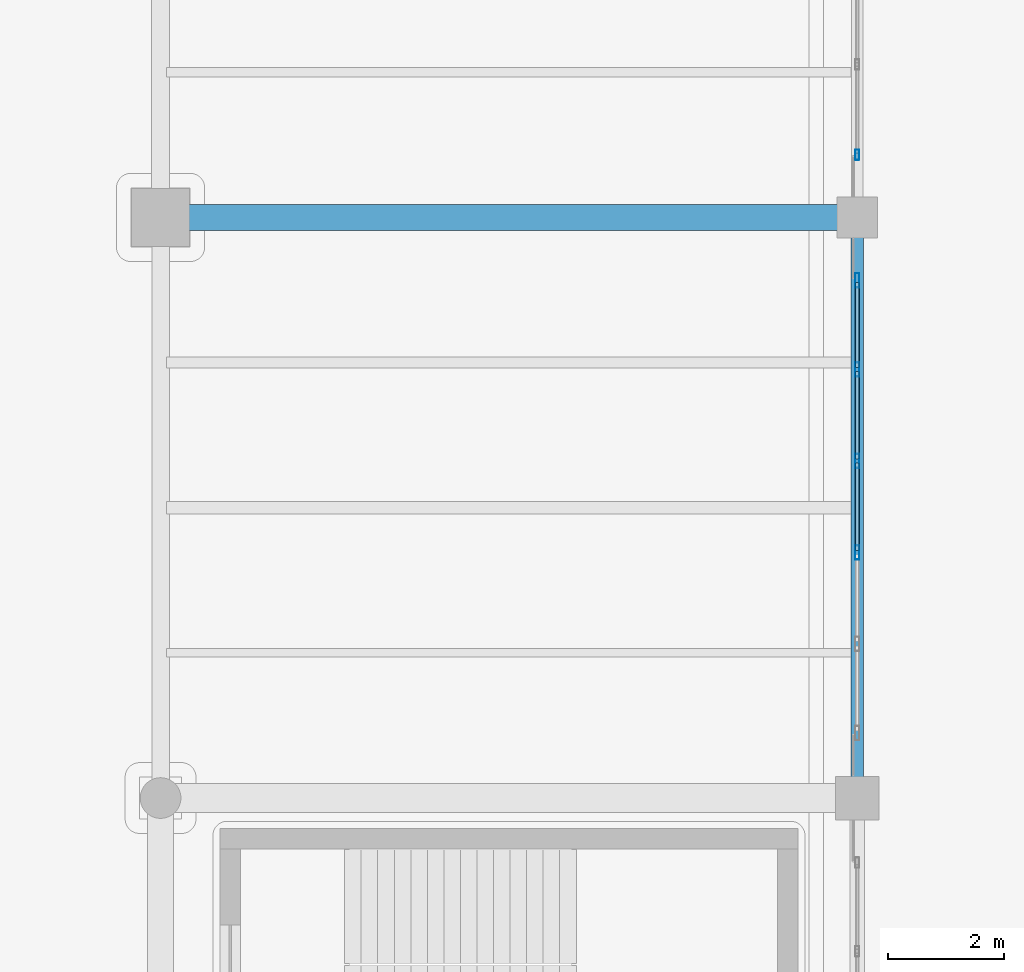
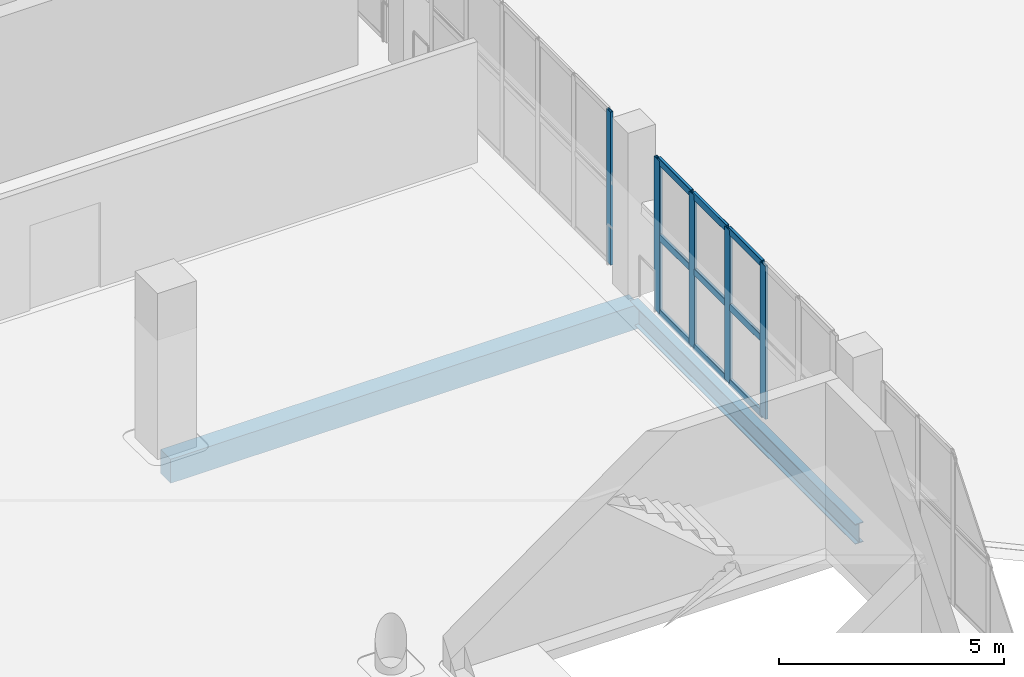
# One storey, part 55 of 108: 14 members, 2 beams, 2 elements without a shape of their own.
"""IFC4 building model written with IfcOpenShell, lengths in metres."""

from ifc_helpers import new_model, si_unit, direction, frame, origin, origin_2d, place, context, subcontext, project, spatial, rectangle, hollow_rectangle, i_section, extrude, material, layer, layer_set, material_profile, profile_set, type_object, element, aggregate, save


model = new_model("IFC4")

# Units and contexts
model_context = context("Model", 3, precision=1e-05, world=origin(), true_north=direction((0.0, 1.0)))
body_context = subcontext(model_context, "Body", "Model", "MODEL_VIEW")
ifc_project = project(units=[si_unit("LENGTHUNIT", "METRE"), si_unit("AREAUNIT", "SQUARE_METRE"), si_unit("VOLUMEUNIT", "CUBIC_METRE"), si_unit("PLANEANGLEUNIT", "RADIAN"), si_unit("MASSUNIT", "GRAM", prefix="KILO")], contexts=[model_context])

# Site, building, storey
site_placement = place(None, origin())
site = spatial("IfcSite", under=ifc_project, at=site_placement, CompositionType="ELEMENT")
building_placement = place(site_placement, origin())
building = spatial("IfcBuilding", under=site, at=building_placement, Name="Brinegate Civic Arena", CompositionType="ELEMENT")
storey_placement = place(building_placement, frame((0.0, 0.0, 10.199951171875)))
storey = spatial("IfcBuildingStorey", under=building, at=storey_placement, Name="L02", CompositionType="ELEMENT", Elevation=10.199951171875)

# Curtain wall, member
ifc_material_1 = material(Name="Marine grade aluminium", Category="aluminium")
ifc_layer = layer(ifc_material_1, 0.199951171875, Name="Marine grade aluminium")
ifc_layer_set = layer_set([ifc_layer], Name="Marine grade aluminium")
curtain_wall_type = type_object("IfcCurtainWallType", Name="CW-BOWL-GLAZED-01", PredefinedType="USERDEFINED", material=ifc_layer_set)
curtain_wall_1_placement = place(storey_placement, origin())
curtain_wall_1 = element("IfcCurtainWall", 1, at=curtain_wall_1_placement, inside=storey, type_object=curtain_wall_type, Name="Curtain Wall CWA-084", ObjectType="GLAZED CURTAIN WALL", PredefinedType="USERDEFINED")
ifc_material_profile_1 = material_profile(ifc_material_1, hollow_rectangle(XDim=0.06494140625, YDim=0.179931640625, WallThickness=0.0048828125, InnerFilletRadius=0.00390625, OuterFilletRadius=0.008056640625, at=origin_2d()), Name="MUL65X180")
ifc_profile_set_1 = profile_set([ifc_material_profile_1], Name="Marine grade aluminium")
member_type_1 = type_object("IfcMemberType", Name="CW-MULLION-65X180", PredefinedType="MULLION", material=ifc_profile_set_1)
member_1_placement = place(storey_placement, frame((168.0, 63.077392578125, 0.0), z_axis=(0.0, 0.0, 1.0), x_axis=(-1.0, 0.0, 0.0)))
member_1 = element("IfcMember", 2, at=member_1_placement, type_object=member_type_1, Name="CWA-084 mullion 1", PredefinedType="MULLION", context=body_context, shape_type="SweptSolid", body=[
    extrude(hollow_rectangle(XDim=0.06494140625, YDim=0.179931640625, WallThickness=0.0048828125, InnerFilletRadius=0.00390625, OuterFilletRadius=0.008056640625, at=origin_2d()), origin(), (0.0, 0.0, 1.0), 4.150146484375),
])
aggregate(curtain_wall_1, [member_1])

# Curtain wall, members
curtain_wall_2_placement = place(storey_placement, origin())
curtain_wall_2 = element("IfcCurtainWall", 3, at=curtain_wall_2_placement, inside=storey, type_object=curtain_wall_type, Name="Curtain Wall CWA-082", ObjectType="GLAZED CURTAIN WALL", PredefinedType="USERDEFINED")
ifc_material_profile_2 = material_profile(ifc_material_1, hollow_rectangle(XDim=0.074951171875, YDim=0.25, WallThickness=0.006103515625, InnerFilletRadius=0.00390625, OuterFilletRadius=0.008056640625, at=origin_2d()), Name="MUL75X250")
ifc_profile_set_2 = profile_set([ifc_material_profile_2], Name="Marine grade aluminium")
member_type_2 = type_object("IfcMemberType", Name="CW-MULLION-75X250", PredefinedType="MULLION", material=ifc_profile_set_2)
member_2_placement = place(storey_placement, frame((168.0, 56.22998046875, 0.0), z_axis=(0.0, 0.0, 1.0), x_axis=(-1.0, 0.0, 0.0)))
member_2 = element("IfcMember", 4, at=member_2_placement, type_object=member_type_2, Name="CWA-082 mullion 3", PredefinedType="MULLION", context=body_context, shape_type="SweptSolid", body=[
    extrude(hollow_rectangle(XDim=0.074951171875, YDim=0.25, WallThickness=0.006103515625, InnerFilletRadius=0.00390625, OuterFilletRadius=0.008056640625, at=origin_2d()), origin(), (0.0, 0.0, 1.0), 4.150146484375),
])
member_3_placement = place(storey_placement, frame((168.0, 57.804931640625, 0.0), z_axis=(0.0, 0.0, 1.0), x_axis=(-1.0, 0.0, 0.0)))
member_3 = element("IfcMember", 5, at=member_3_placement, type_object=member_type_2, Name="CWA-082 mullion 4", PredefinedType="MULLION", context=body_context, shape_type="SweptSolid", body=[
    extrude(hollow_rectangle(XDim=0.074951171875, YDim=0.25, WallThickness=0.006103515625, InnerFilletRadius=0.00390625, OuterFilletRadius=0.008056640625, at=origin_2d()), origin(), (0.0, 0.0, 1.0), 4.150146484375),
])
member_4_placement = place(storey_placement, frame((168.0, 59.3798828125, 0.0), z_axis=(0.0, 0.0, 1.0), x_axis=(-1.0, 0.0, 0.0)))
member_4 = element("IfcMember", 6, at=member_4_placement, type_object=member_type_2, Name="CWA-082 mullion 5", PredefinedType="MULLION", context=body_context, shape_type="SweptSolid", body=[
    extrude(hollow_rectangle(XDim=0.074951171875, YDim=0.25, WallThickness=0.006103515625, InnerFilletRadius=0.00390625, OuterFilletRadius=0.008056640625, at=origin_2d()), origin(), (0.0, 0.0, 1.0), 4.150146484375),
])
member_5_placement = place(storey_placement, frame((168.0, 60.91748046875, 0.0), z_axis=(0.0, 0.0, 1.0), x_axis=(-1.0, 0.0, 0.0)))
member_5 = element("IfcMember", 7, at=member_5_placement, type_object=member_type_2, Name="CWA-082 mullion 6", PredefinedType="MULLION", context=body_context, shape_type="SweptSolid", body=[
    extrude(hollow_rectangle(XDim=0.074951171875, YDim=0.25, WallThickness=0.006103515625, InnerFilletRadius=0.00390625, OuterFilletRadius=0.008056640625, at=origin_2d()), origin(), (0.0, 0.0, 1.0), 4.150146484375),
])
ifc_material_profile_3 = material_profile(ifc_material_1, hollow_rectangle(XDim=0.074951171875, YDim=0.18994140625, WallThickness=0.006103515625, InnerFilletRadius=0.00390625, OuterFilletRadius=0.008056640625, at=origin_2d()), Name="TRN75X190")
ifc_profile_set_3 = profile_set([ifc_material_profile_3], Name="Marine grade aluminium")
member_type_3 = type_object("IfcMemberType", Name="CW-TRANSOM-75X190", PredefinedType="USERDEFINED", material=ifc_profile_set_3)
member_6_placement = place(storey_placement, frame((168.0, 56.267578125, 0.03759765625), z_axis=(0.0, 1.0, 0.0), x_axis=(-1.0, 0.0, 0.0)))
member_6 = element("IfcMember", 8, at=member_6_placement, type_object=member_type_3, Name="CWA-082 transom 3.1", ObjectType="TRANSOM", PredefinedType="USERDEFINED", context=body_context, shape_type="SweptSolid", body=[
    extrude(hollow_rectangle(XDim=0.074951171875, YDim=0.18994140625, WallThickness=0.006103515625, InnerFilletRadius=0.00390625, OuterFilletRadius=0.008056640625, at=origin_2d()), origin(), (0.0, 0.0, 1.0), 1.5),
])
member_7_placement = place(storey_placement, frame((168.0, 56.267578125, 2.074951171875), z_axis=(0.0, 1.0, 0.0), x_axis=(-1.0, 0.0, 0.0)))
member_7 = element("IfcMember", 9, at=member_7_placement, type_object=member_type_3, Name="CWA-082 transom 3.2", ObjectType="TRANSOM", PredefinedType="USERDEFINED", context=body_context, shape_type="SweptSolid", body=[
    extrude(hollow_rectangle(XDim=0.074951171875, YDim=0.18994140625, WallThickness=0.006103515625, InnerFilletRadius=0.00390625, OuterFilletRadius=0.008056640625, at=origin_2d()), origin(), (0.0, 0.0, 1.0), 1.5),
])
member_8_placement = place(storey_placement, frame((168.0, 56.267578125, 4.112548828125), z_axis=(0.0, 1.0, 0.0), x_axis=(-1.0, 0.0, 0.0)))
member_8 = element("IfcMember", 10, at=member_8_placement, type_object=member_type_3, Name="CWA-082 transom 3.3", ObjectType="TRANSOM", PredefinedType="USERDEFINED", context=body_context, shape_type="SweptSolid", body=[
    extrude(hollow_rectangle(XDim=0.074951171875, YDim=0.18994140625, WallThickness=0.006103515625, InnerFilletRadius=0.00390625, OuterFilletRadius=0.008056640625, at=origin_2d()), origin(), (0.0, 0.0, 1.0), 1.5),
])
member_9_placement = place(storey_placement, frame((168.0, 57.842529296875, 0.03759765625), z_axis=(0.0, 1.0, 0.0), x_axis=(-1.0, 0.0, 0.0)))
member_9 = element("IfcMember", 11, at=member_9_placement, type_object=member_type_3, Name="CWA-082 transom 4.1", ObjectType="TRANSOM", PredefinedType="USERDEFINED", context=body_context, shape_type="SweptSolid", body=[
    extrude(hollow_rectangle(XDim=0.074951171875, YDim=0.18994140625, WallThickness=0.006103515625, InnerFilletRadius=0.00390625, OuterFilletRadius=0.008056640625, at=origin_2d()), origin(), (0.0, 0.0, 1.0), 1.5),
])
member_10_placement = place(storey_placement, frame((168.0, 57.842529296875, 2.074951171875), z_axis=(0.0, 1.0, 0.0), x_axis=(-1.0, 0.0, 0.0)))
member_10 = element("IfcMember", 12, at=member_10_placement, type_object=member_type_3, Name="CWA-082 transom 4.2", ObjectType="TRANSOM", PredefinedType="USERDEFINED", context=body_context, shape_type="SweptSolid", body=[
    extrude(hollow_rectangle(XDim=0.074951171875, YDim=0.18994140625, WallThickness=0.006103515625, InnerFilletRadius=0.00390625, OuterFilletRadius=0.008056640625, at=origin_2d()), origin(), (0.0, 0.0, 1.0), 1.5),
])
member_11_placement = place(storey_placement, frame((168.0, 57.842529296875, 4.112548828125), z_axis=(0.0, 1.0, 0.0), x_axis=(-1.0, 0.0, 0.0)))
member_11 = element("IfcMember", 13, at=member_11_placement, type_object=member_type_3, Name="CWA-082 transom 4.3", ObjectType="TRANSOM", PredefinedType="USERDEFINED", context=body_context, shape_type="SweptSolid", body=[
    extrude(hollow_rectangle(XDim=0.074951171875, YDim=0.18994140625, WallThickness=0.006103515625, InnerFilletRadius=0.00390625, OuterFilletRadius=0.008056640625, at=origin_2d()), origin(), (0.0, 0.0, 1.0), 1.5),
])
member_12_placement = place(storey_placement, frame((168.0, 59.41748046875, 0.03759765625), z_axis=(0.0, 1.0, 0.0), x_axis=(-1.0, 0.0, 0.0)))
member_12 = element("IfcMember", 14, at=member_12_placement, type_object=member_type_3, Name="CWA-082 transom 5.1", ObjectType="TRANSOM", PredefinedType="USERDEFINED", context=body_context, shape_type="SweptSolid", body=[
    extrude(hollow_rectangle(XDim=0.074951171875, YDim=0.18994140625, WallThickness=0.006103515625, InnerFilletRadius=0.00390625, OuterFilletRadius=0.008056640625, at=origin_2d()), origin(), (0.0, 0.0, 1.0), 1.46240234375),
])
member_13_placement = place(storey_placement, frame((168.0, 59.41748046875, 2.074951171875), z_axis=(0.0, 1.0, 0.0), x_axis=(-1.0, 0.0, 0.0)))
member_13 = element("IfcMember", 15, at=member_13_placement, type_object=member_type_3, Name="CWA-082 transom 5.2", ObjectType="TRANSOM", PredefinedType="USERDEFINED", context=body_context, shape_type="SweptSolid", body=[
    extrude(hollow_rectangle(XDim=0.074951171875, YDim=0.18994140625, WallThickness=0.006103515625, InnerFilletRadius=0.00390625, OuterFilletRadius=0.008056640625, at=origin_2d()), origin(), (0.0, 0.0, 1.0), 1.46240234375),
])
member_14_placement = place(storey_placement, frame((168.0, 59.41748046875, 4.112548828125), z_axis=(0.0, 1.0, 0.0), x_axis=(-1.0, 0.0, 0.0)))
member_14 = element("IfcMember", 16, at=member_14_placement, type_object=member_type_3, Name="CWA-082 transom 5.3", ObjectType="TRANSOM", PredefinedType="USERDEFINED", context=body_context, shape_type="SweptSolid", body=[
    extrude(hollow_rectangle(XDim=0.074951171875, YDim=0.18994140625, WallThickness=0.006103515625, InnerFilletRadius=0.00390625, OuterFilletRadius=0.008056640625, at=origin_2d()), origin(), (0.0, 0.0, 1.0), 1.46240234375),
])
aggregate(curtain_wall_2, [member_2, member_3, member_4, member_5, member_6, member_7, member_8, member_9, member_10, member_11, member_12, member_13, member_14])

# Beams
ifc_material_2 = material(Name="Concrete C50/60", Category="concrete")
ifc_material_profile_4 = material_profile(ifc_material_2, rectangle(XDim=0.449951171875, YDim=0.64990234375, at=origin_2d()), Name="RCB450X650")
ifc_profile_set_4 = profile_set([ifc_material_profile_4], Name="Concrete C50/60")
beam_type_1 = type_object("IfcBeamType", Name="RCG-450X650", PredefinedType="BEAM", material=ifc_profile_set_4)
beam_1_placement = place(storey_placement, frame((156.0, 62.0, -0.655029296875), z_axis=(1.0, 0.0, 0.0), x_axis=(0.0, 1.0, 0.0)))
element("IfcBeam", 17, at=beam_1_placement, inside=storey, type_object=beam_type_1, Name="Floor Girder BM-L02-GX-13-06", PredefinedType="BEAM", context=body_context, shape_type="SweptSolid", body=[
    extrude(rectangle(XDim=0.449951171875, YDim=0.64990234375, at=origin_2d()), origin(), (0.0, 0.0, 1.0), 12.0),
])
ifc_material_3 = material(Name="Steel S355", Category="steel")
ifc_material_profile_5 = material_profile(ifc_material_3, i_section(OverallWidth=0.2119140625, OverallDepth=0.5439453125, WebThickness=0.012939453125, FlangeThickness=0.02099609375, FilletRadius=0.01611328125, at=origin_2d()), Name="W530X123")
ifc_profile_set_5 = profile_set([ifc_material_profile_5], Name="Steel S355")
beam_type_2 = type_object("IfcBeamType", Name="SPANDREL-W530X123", PredefinedType="SPANDREL", material=ifc_profile_set_5)
beam_2_placement = place(storey_placement, frame((168.0, 52.0, -0.60205078125), z_axis=(0.0, 1.0, 0.0), x_axis=(-1.0, 0.0, 0.0)))
element("IfcBeam", 18, at=beam_2_placement, inside=storey, type_object=beam_type_2, Name="Floor Girder BM-L02-GY-14-05", PredefinedType="SPANDREL", context=body_context, shape_type="SweptSolid", body=[
    extrude(i_section(OverallWidth=0.2119140625, OverallDepth=0.5439453125, WebThickness=0.012939453125, FlangeThickness=0.02099609375, FilletRadius=0.01611328125, at=origin_2d()), origin(), (0.0, 0.0, 1.0), 10.0),
])

save(model, "model.ifc")
